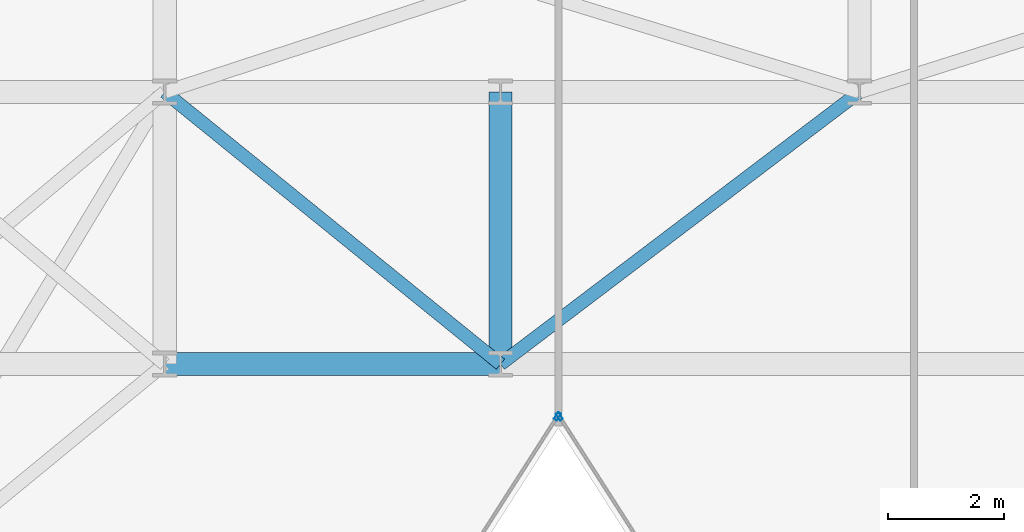
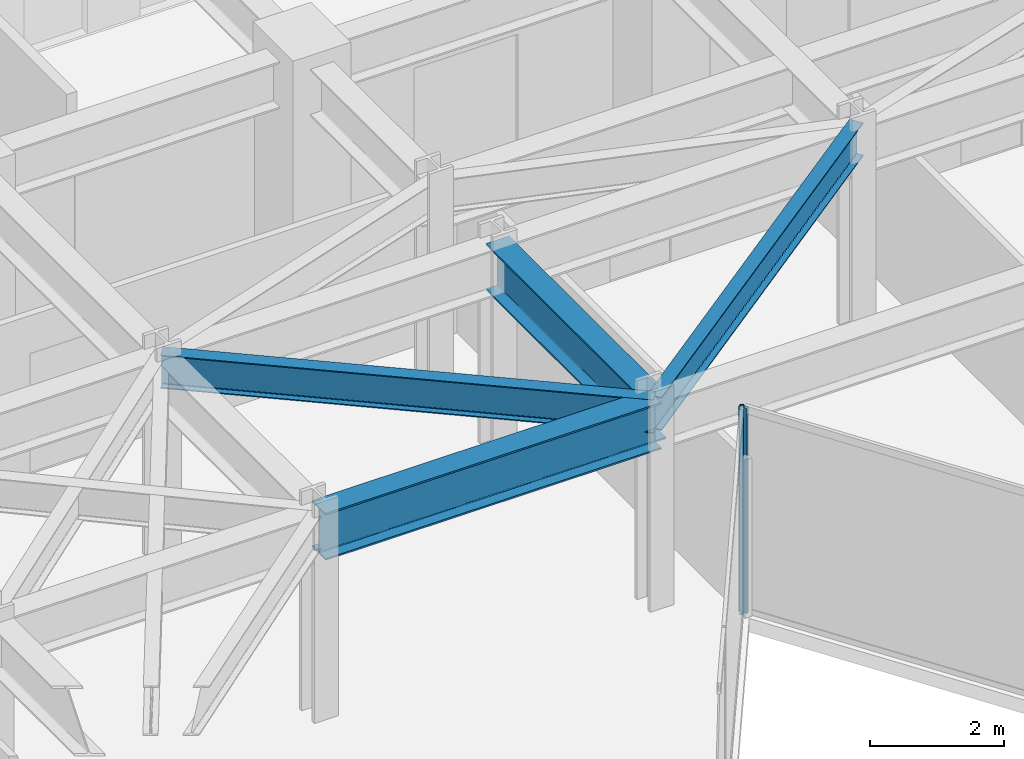
# One storey, part 13 of 26: 4 beams, 2 members, 2 elements without a shape of their own.
"""IFC4 building model written with IfcOpenShell, lengths in metres."""

from ifc_helpers import new_model, si_unit, direction, frame, origin, origin_2d, place, context, subcontext, project, spatial, hollow_rectangle, i_section, extrude, material, layer, layer_set, material_profile, profile_set, type_object, element, aggregate, save


model = new_model("IFC4")

# Units and contexts
model_context = context("Model", 3, precision=1e-05, world=origin(), true_north=direction((0.0, 1.0)))
body_context = subcontext(model_context, "Body", "Model", "MODEL_VIEW")
ifc_project = project(units=[si_unit("LENGTHUNIT", "METRE"), si_unit("AREAUNIT", "SQUARE_METRE"), si_unit("VOLUMEUNIT", "CUBIC_METRE"), si_unit("PLANEANGLEUNIT", "RADIAN"), si_unit("MASSUNIT", "GRAM", prefix="KILO")], contexts=[model_context])

# Site, building, storey
site_placement = place(None, origin())
site = spatial("IfcSite", under=ifc_project, at=site_placement, CompositionType="ELEMENT")
building_placement = place(site_placement, origin())
building = spatial("IfcBuilding", under=site, at=building_placement, Name="Kravanh Interchange Tower", CompositionType="ELEMENT")
storey_placement = place(building_placement, frame((0.0, 0.0, 140.0)))
storey = spatial("IfcBuildingStorey", under=building, at=storey_placement, Name="L33", CompositionType="ELEMENT", Elevation=140.0)

# Curtain wall, member
ifc_material_1 = material(Name="Anodised Bronze Aluminium", Category="aluminium")
ifc_layer = layer(ifc_material_1, 0.179931640625)
ifc_layer_set = layer_set([ifc_layer], Name="Unitised Curtain Wall System CW-Z2 Mid Office")
curtain_wall_type = type_object("IfcCurtainWallType", Name="Unitised Curtain Wall System CW-Z2 Mid Office", PredefinedType="NOTDEFINED", material=ifc_layer_set)
curtain_wall_1_placement = place(storey_placement, origin())
curtain_wall_1 = element("IfcCurtainWall", 1, at=curtain_wall_1_placement, inside=storey, type_object=curtain_wall_type, Name="L33 Unitised Curtain Wall CW-L33-04", PredefinedType="NOTDEFINED")
ifc_material_2 = material(Name="Anodised Bronze Aluminium", Category="aluminium")
ifc_material_profile_1 = material_profile(ifc_material_2, hollow_rectangle(XDim=0.06005859375, YDim=0.139892578125, WallThickness=0.00390625, at=origin_2d()), Name="ALU60X140X4")
ifc_profile_set_1 = profile_set([ifc_material_profile_1], Name="Anodised Bronze Aluminium")
member_type = type_object("IfcMemberType", Name="Curtain Wall Mullion ALU60X140X4 Bronze", PredefinedType="MULLION", material=ifc_profile_set_1)
member_1_placement = place(storey_placement, frame((39.6162109375, 25.897216796875, 0.0), z_axis=(0.0, 0.0, 1.0), x_axis=(-0.841879939476, -0.539664865919, 0.0)))
member_1 = element("IfcMember", 2, at=member_1_placement, type_object=member_type, Name="CW-Z2 mullion 5", PredefinedType="MULLION", context=body_context, shape_type="SweptSolid", body=[
    extrude(hollow_rectangle(XDim=0.06005859375, YDim=0.139892578125, WallThickness=0.00390625, at=origin_2d()), origin(), (0.0, 0.0, 1.0), 3.75),
])
aggregate(curtain_wall_1, [member_1])

curtain_wall_2_placement = place(storey_placement, origin())
curtain_wall_2 = element("IfcCurtainWall", 3, at=curtain_wall_2_placement, inside=storey, type_object=curtain_wall_type, Name="L33 Unitised Curtain Wall CW-L33-05", PredefinedType="NOTDEFINED")
member_2_placement = place(storey_placement, frame((39.583740234375, 25.897216796875, 0.0), z_axis=(0.0, 0.0, 1.0), x_axis=(0.841879939476, -0.539664865919, 0.0)))
member_2 = element("IfcMember", 4, at=member_2_placement, type_object=member_type, Name="CW-Z2 mullion 1", PredefinedType="MULLION", context=body_context, shape_type="SweptSolid", body=[
    extrude(hollow_rectangle(XDim=0.06005859375, YDim=0.139892578125, WallThickness=0.00390625, at=origin_2d()), origin(), (0.0, 0.0, 1.0), 3.75),
])
aggregate(curtain_wall_2, [member_2])

# Beams
ifc_material_3 = material(Name="Structural Steel S355", Category="steel")
ifc_material_profile_2 = material_profile(ifc_material_3, i_section(OverallWidth=0.39990234375, OverallDepth=0.85595703125, WebThickness=0.018310546875, FlangeThickness=0.029296875, FilletRadius=0.02490234375, at=origin_2d()), Name="W33X201")
ifc_profile_set_2 = profile_set([ifc_material_profile_2], Name="Structural Steel S355")
beam_type_1 = type_object("IfcBeamType", Name="Floor Beam W33X201 Structural Steel S355", PredefinedType="BEAM", material=ifc_profile_set_2)
beam_1_placement = place(storey_placement, frame((32.800048828125, 26.800048828125, 3.322021484375), z_axis=(1.0, 0.0, 0.0), x_axis=(0.0, 1.0, 0.0)))
element("IfcBeam", 5, at=beam_1_placement, inside=storey, type_object=beam_type_1, Name="L33 Primary Floor Girder 50", PredefinedType="BEAM", context=body_context, shape_type="SweptSolid", body=[
    extrude(i_section(OverallWidth=0.39990234375, OverallDepth=0.85595703125, WebThickness=0.018310546875, FlangeThickness=0.029296875, FilletRadius=0.02490234375, at=origin_2d()), origin(), (0.0, 0.0, 1.0), 5.800048828125),
])
beam_2_placement = place(storey_placement, frame((38.60009765625, 26.800048828125, 3.322021484375), z_axis=(0.0, 1.0, 0.0), x_axis=(-1.0, 0.0, 0.0)))
element("IfcBeam", 6, at=beam_2_placement, inside=storey, type_object=beam_type_1, Name="L33 Primary Floor Girder 53", PredefinedType="BEAM", context=body_context, shape_type="SweptSolid", body=[
    extrude(i_section(OverallWidth=0.39990234375, OverallDepth=0.85595703125, WebThickness=0.018310546875, FlangeThickness=0.029296875, FilletRadius=0.02490234375, at=origin_2d()), origin(), (0.0, 0.0, 1.0), 4.699951171875),
])
ifc_material_4 = material(Name="Structural Steel S355", Category="steel")
ifc_material_profile_3 = material_profile(ifc_material_4, i_section(OverallWidth=0.22802734375, OverallDepth=0.60791015625, WebThickness=0.01123046875, FlangeThickness=0.017333984375, FilletRadius=0.02197265625, at=origin_2d()), Name="W24X76")
ifc_profile_set_3 = profile_set([ifc_material_profile_3], Name="Structural Steel S355")
beam_type_2 = type_object("IfcBeamType", Name="Floor Spandrel W24X76 Structural Steel S355", PredefinedType="SPANDREL", material=ifc_profile_set_3)
beam_3_placement = place(storey_placement, frame((38.60009765625, 26.800048828125, 3.446044921875), z_axis=(-0.776938619557, 0.629576350764, 0.0), x_axis=(-0.629576350764, -0.776938619557, 0.0)))
element("IfcBeam", 7, at=beam_3_placement, inside=storey, type_object=beam_type_2, Name="L33 Perimeter Spandrel 54", PredefinedType="SPANDREL", context=body_context, shape_type="SweptSolid", body=[
    extrude(i_section(OverallWidth=0.22802734375, OverallDepth=0.60791015625, WebThickness=0.01123046875, FlangeThickness=0.017333984375, FilletRadius=0.02197265625, at=origin_2d()), origin(), (0.0, 0.0, 1.0), 7.46533203125),
])
beam_4_placement = place(storey_placement, frame((38.60009765625, 26.800048828125, 3.446044921875), z_axis=(0.796905365509, 0.604104161898, 0.0), x_axis=(-0.604104161898, 0.796905365509, 0.0)))
element("IfcBeam", 8, at=beam_4_placement, inside=storey, type_object=beam_type_2, Name="L33 Perimeter Spandrel 55", PredefinedType="SPANDREL", context=body_context, shape_type="SweptSolid", body=[
    extrude(i_section(OverallWidth=0.22802734375, OverallDepth=0.60791015625, WebThickness=0.01123046875, FlangeThickness=0.017333984375, FilletRadius=0.02197265625, at=origin_2d()), origin(), (0.0, 0.0, 1.0), 7.780029296875),
])

save(model, "model.ifc")
